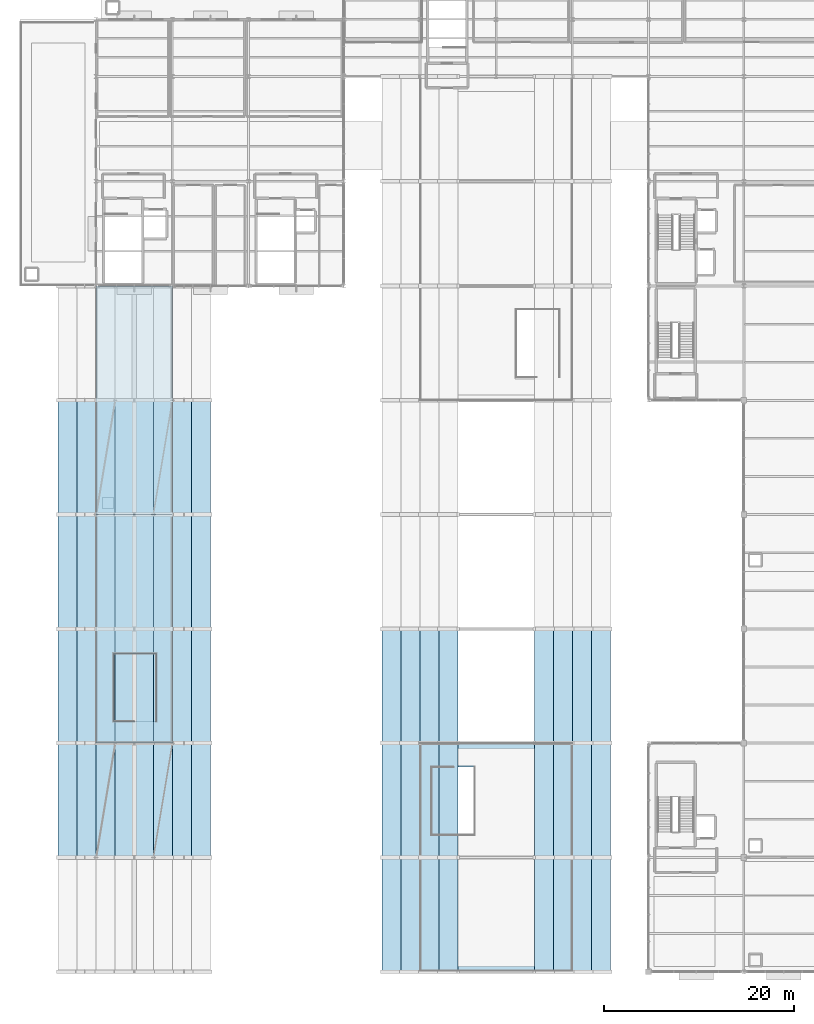
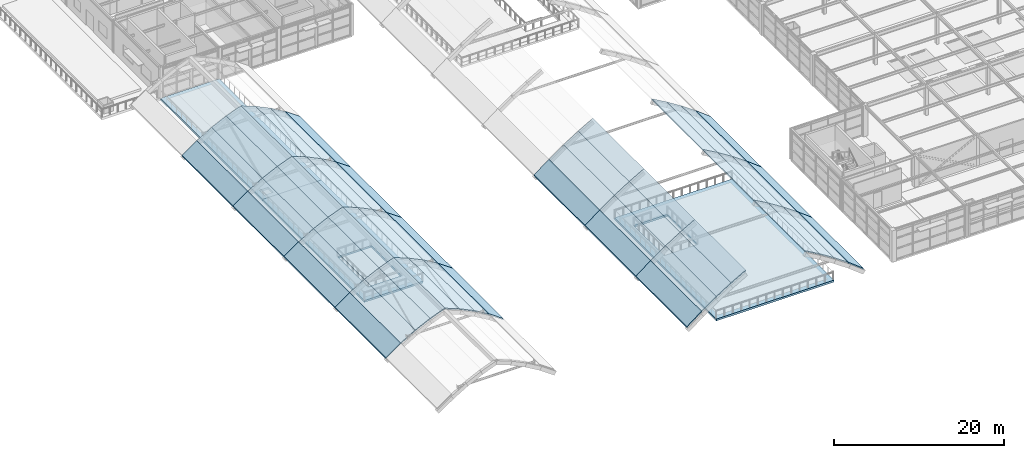
# One storey, part 44 of 82: 59 slabs.
"""IFC4 building model written with IfcOpenShell, lengths in metres."""

from ifc_helpers import new_model, si_unit, direction, frame, origin, place, context, subcontext, project, spatial, polyline, outline, extrude, material, layer, layer_set, type_object, element, save


model = new_model("IFC4")

# Units and contexts
model_context = context("Model", 3, precision=1e-05, world=origin(), true_north=direction((0.0, 1.0)))
body_context = subcontext(model_context, "Body", "Model", "MODEL_VIEW")
ifc_project = project(units=[si_unit("LENGTHUNIT", "METRE"), si_unit("AREAUNIT", "SQUARE_METRE"), si_unit("VOLUMEUNIT", "CUBIC_METRE"), si_unit("PLANEANGLEUNIT", "RADIAN"), si_unit("MASSUNIT", "GRAM", prefix="KILO")], contexts=[model_context])

# Site, building, storey
site_placement = place(None, origin())
site = spatial("IfcSite", under=ifc_project, at=site_placement, CompositionType="ELEMENT")
building_placement = place(site_placement, origin())
building = spatial("IfcBuilding", under=site, at=building_placement, Name="Sitalva Quay Ferry Terminal", CompositionType="ELEMENT")
storey_placement = place(building_placement, frame((0.0, 0.0, 5.39990234375)))
storey = spatial("IfcBuildingStorey", under=building, at=storey_placement, Name="L02", CompositionType="ELEMENT", Elevation=5.39990234375)

# Slabs
ifc_material_1 = material(Name="Concrete C35/45", Category="concrete")
ifc_layer_1 = layer(ifc_material_1, 0.280029296875)
ifc_layer_set_1 = layer_set([ifc_layer_1], Name="Concrete C35/45")
slab_type_1 = type_object("IfcSlabType", Name="Slab_Concourse_280", PredefinedType="FLOOR", material=ifc_layer_set_1)
slab_1_placement = place(storey_placement, frame((0.0, 0.0, -0.27978515625)))
element("IfcSlab", 1, at=slab_1_placement, inside=storey, type_object=slab_type_1, Name="L02 Arrivals concourse gallery north 033", PredefinedType="FLOOR", context=body_context, shape_type="SweptSolid", body=[
    extrude(outline(polyline([(16.0, 54.0), (24.0, 54.0), (24.0, 78.0), (16.0, 78.0), (16.0, 54.0)]), holes=[polyline([(16.64990234375, 54.64990234375), (16.64990234375, 55.800048828125), (17.800048828125, 55.800048828125), (17.800048828125, 54.64990234375), (16.64990234375, 54.64990234375)])]), origin(), (0.0, 0.0, 1.0), 0.27978515625),
])
slab_2_placement = place(storey_placement, frame((0.0, 0.0, -0.27978515625)))
element("IfcSlab", 2, at=slab_2_placement, inside=storey, type_object=slab_type_1, Name="L02 Departure south viewing gallery 034", PredefinedType="FLOOR", context=body_context, shape_type="SweptSolid", body=[
    extrude(outline(polyline([(50.0, 6.0), (66.0, 6.0), (66.0, 30.0), (50.0, 30.0), (50.0, 6.0)]), holes=[polyline([(51.199951171875, 20.340087890625), (51.199951171875, 27.47998046875), (55.75, 27.47998046875), (55.75, 20.340087890625), (51.199951171875, 20.340087890625)])]), origin(), (0.0, 0.0, 1.0), 0.27978515625),
])
ifc_material_2 = material(Name="Concrete C35/45", Category="concrete")
ifc_layer_2 = layer(ifc_material_2, 0.27001953125)
ifc_layer_set_2 = layer_set([ifc_layer_2], Name="Concrete C35/45")
slab_type_2 = type_object("IfcSlabType", Name="Slab_Gallery_270", PredefinedType="FLOOR", material=ifc_layer_set_2)
slab_3_placement = place(storey_placement, frame((0.0, 0.0, -0.27001953125)))
element("IfcSlab", 3, at=slab_3_placement, inside=storey, type_object=slab_type_2, Name="L02 Arrivals concourse gallery south 032", PredefinedType="FLOOR", context=body_context, shape_type="SweptSolid", body=[
    extrude(outline(polyline([(16.0, 30.0), (24.0, 30.0), (24.0, 54.0), (16.0, 54.0), (16.0, 30.0)]), holes=[polyline([(17.800048828125, 32.260009765625), (17.800048828125, 39.39990234375), (22.35009765625, 39.39990234375), (22.35009765625, 32.260009765625), (17.800048828125, 32.260009765625)])]), origin(), (0.0, 0.0, 1.0), 0.27001953125),
])
ifc_material_3 = material(Name="Concrete C40/50", Category="concrete")
ifc_layer_3 = layer(ifc_material_3, 0.159912109375)
ifc_layer_set_3 = layer_set([ifc_layer_3], Name="Concrete C40/50")
slab_type_3 = type_object("IfcSlabType", Name="Slab_PointedVaultShell_160", PredefinedType="ROOF", material=ifc_layer_set_3)
slab_4_placement = place(storey_placement, frame((46.0, 6.0, 0.304931640625), z_axis=(-0.611012871189, 0.0, 0.791620661202), x_axis=(0.791620661202, 0.0, 0.611012871189)))
element("IfcSlab", 4, at=slab_4_placement, inside=storey, type_object=slab_type_3, Name="Vault V1 pointed shell facet B1-F3", PredefinedType="ROOF", context=body_context, shape_type="SweptSolid", body=[
    extrude(outline(polyline([(0.0, 0.0), (2.526462607688514, 0.0), (2.526462607688514, 12.0), (0.0, 12.0), (0.0, 0.0)])), origin(), (-0.611012871189, 0.0, -0.791620661202), 0.2021484375),
])
slab_5_placement = place(storey_placement, frame((48.0, 6.0, 1.8486328125), z_axis=(-0.572561943241, 0.0, 0.81986146461), x_axis=(0.81986146461, 0.0, 0.572561943241)))
element("IfcSlab", 5, at=slab_5_placement, inside=storey, type_object=slab_type_3, Name="Vault V1 pointed shell facet B1-F4", PredefinedType="ROOF", context=body_context, shape_type="SweptSolid", body=[
    extrude(outline(polyline([(0.0, 0.0), (2.439436522305923, 0.0), (2.439436522305923, 12.0), (0.0, 12.0), (0.0, 0.0)])), origin(), (-0.572561943241, 0.0, -0.81986146461), 0.195068359375),
])
slab_6_placement = place(storey_placement, frame((50.0, 6.0, 3.245361328125), z_axis=(-0.534148288935, 0.0, 0.845390800416), x_axis=(0.845390800416, 0.0, 0.534148288935)))
element("IfcSlab", 6, at=slab_6_placement, inside=storey, type_object=slab_type_3, Name="Vault V1 pointed shell facet B1-F5", PredefinedType="ROOF", context=body_context, shape_type="SweptSolid", body=[
    extrude(outline(polyline([(0.0, 0.0), (2.3657697706383045, 0.0), (2.3657697706383045, 12.0), (0.0, 12.0), (0.0, 0.0)])), origin(), (-0.534148288935, 0.0, -0.845390800416), 0.189208984375),
])
slab_7_placement = place(storey_placement, frame((52.0, 6.0, 4.509033203125), z_axis=(-0.495567919109, 0.0, 0.868569189846), x_axis=(0.868569189846, 0.0, 0.495567919109)))
element("IfcSlab", 7, at=slab_7_placement, inside=storey, type_object=slab_type_3, Name="Vault V1 pointed shell facet B1-F6", PredefinedType="ROOF", context=body_context, shape_type="SweptSolid", body=[
    extrude(outline(polyline([(0.0, 0.0), (2.3026375139489805, 0.0), (2.3026375139489805, 12.0), (0.0, 12.0), (0.0, 0.0)])), origin(), (-0.495567919109, 0.0, -0.868569189846), 0.184326171875),
])
slab_8_placement = place(storey_placement, frame((62.0, 6.0, 5.650146484375), z_axis=(0.495567919109, 0.0, 0.868569189846), x_axis=(0.868569189846, 0.0, -0.495567919109)))
element("IfcSlab", 8, at=slab_8_placement, inside=storey, type_object=slab_type_3, Name="Vault V1 pointed shell facet B1-F11", PredefinedType="ROOF", context=body_context, shape_type="SweptSolid", body=[
    extrude(outline(polyline([(0.0, 0.0), (2.3026375139489805, 0.0), (2.3026375139489805, 12.0), (0.0, 12.0), (0.0, 0.0)])), origin(), (0.495567919109, 0.0, -0.868569189846), 0.184326171875),
])
slab_9_placement = place(storey_placement, frame((64.0, 6.0, 4.509033203125), z_axis=(0.534148288935, 0.0, 0.845390800416), x_axis=(0.845390800416, 0.0, -0.534148288935)))
element("IfcSlab", 9, at=slab_9_placement, inside=storey, type_object=slab_type_3, Name="Vault V1 pointed shell facet B1-F12", PredefinedType="ROOF", context=body_context, shape_type="SweptSolid", body=[
    extrude(outline(polyline([(0.0, 0.0), (2.3657697706383045, 0.0), (2.3657697706383045, 12.0), (0.0, 12.0), (0.0, 0.0)])), origin(), (0.534148288935, 0.0, -0.845390800416), 0.189208984375),
])
slab_10_placement = place(storey_placement, frame((66.0, 6.0, 3.245361328125), z_axis=(0.572561943241, 0.0, 0.81986146461), x_axis=(0.81986146461, 0.0, -0.572561943241)))
element("IfcSlab", 10, at=slab_10_placement, inside=storey, type_object=slab_type_3, Name="Vault V1 pointed shell facet B1-F13", PredefinedType="ROOF", context=body_context, shape_type="SweptSolid", body=[
    extrude(outline(polyline([(0.0, 0.0), (2.439436522305923, 0.0), (2.439436522305923, 12.0), (0.0, 12.0), (0.0, 0.0)])), origin(), (0.572561943241, 0.0, -0.81986146461), 0.195068359375),
])
slab_11_placement = place(storey_placement, frame((68.0, 6.0, 1.8486328125), z_axis=(0.611012871189, 0.0, 0.791620661202), x_axis=(0.791620661202, 0.0, -0.611012871189)))
element("IfcSlab", 11, at=slab_11_placement, inside=storey, type_object=slab_type_3, Name="Vault V1 pointed shell facet B1-F14", PredefinedType="ROOF", context=body_context, shape_type="SweptSolid", body=[
    extrude(outline(polyline([(0.0, 0.0), (2.526462607688514, 0.0), (2.526462607688514, 12.0), (0.0, 12.0), (0.0, 0.0)])), origin(), (0.611012871189, 0.0, -0.791620661202), 0.2021484375),
])
slab_12_placement = place(storey_placement, frame((46.0, 18.0, 0.304931640625), z_axis=(-0.611012871189, 0.0, 0.791620661202), x_axis=(0.791620661202, 0.0, 0.611012871189)))
element("IfcSlab", 12, at=slab_12_placement, inside=storey, type_object=slab_type_3, Name="Vault V1 pointed shell facet B2-F3", PredefinedType="ROOF", context=body_context, shape_type="SweptSolid", body=[
    extrude(outline(polyline([(0.0, 0.0), (2.526462607688514, 0.0), (2.526462607688514, 12.0), (0.0, 12.0), (0.0, 0.0)])), origin(), (-0.611012871189, 0.0, -0.791620661202), 0.2021484375),
])
slab_13_placement = place(storey_placement, frame((48.0, 18.0, 1.8486328125), z_axis=(-0.572561943241, 0.0, 0.81986146461), x_axis=(0.81986146461, 0.0, 0.572561943241)))
element("IfcSlab", 13, at=slab_13_placement, inside=storey, type_object=slab_type_3, Name="Vault V1 pointed shell facet B2-F4", PredefinedType="ROOF", context=body_context, shape_type="SweptSolid", body=[
    extrude(outline(polyline([(0.0, 0.0), (2.439436522305923, 0.0), (2.439436522305923, 12.0), (0.0, 12.0), (0.0, 0.0)])), origin(), (-0.572561943241, 0.0, -0.81986146461), 0.195068359375),
])
slab_14_placement = place(storey_placement, frame((50.0, 18.0, 3.245361328125), z_axis=(-0.534148288935, 0.0, 0.845390800416), x_axis=(0.845390800416, 0.0, 0.534148288935)))
element("IfcSlab", 14, at=slab_14_placement, inside=storey, type_object=slab_type_3, Name="Vault V1 pointed shell facet B2-F5", PredefinedType="ROOF", context=body_context, shape_type="SweptSolid", body=[
    extrude(outline(polyline([(0.0, 0.0), (2.3657697706383045, 0.0), (2.3657697706383045, 12.0), (0.0, 12.0), (0.0, 0.0)])), origin(), (-0.534148288935, 0.0, -0.845390800416), 0.189208984375),
])
slab_15_placement = place(storey_placement, frame((52.0, 18.0, 4.509033203125), z_axis=(-0.495567919109, 0.0, 0.868569189846), x_axis=(0.868569189846, 0.0, 0.495567919109)))
element("IfcSlab", 15, at=slab_15_placement, inside=storey, type_object=slab_type_3, Name="Vault V1 pointed shell facet B2-F6", PredefinedType="ROOF", context=body_context, shape_type="SweptSolid", body=[
    extrude(outline(polyline([(0.0, 0.0), (2.3026375139489805, 0.0), (2.3026375139489805, 12.0), (0.0, 12.0), (0.0, 0.0)])), origin(), (-0.495567919109, 0.0, -0.868569189846), 0.184326171875),
])
slab_16_placement = place(storey_placement, frame((62.0, 18.0, 5.650146484375), z_axis=(0.495567919109, 0.0, 0.868569189846), x_axis=(0.868569189846, 0.0, -0.495567919109)))
element("IfcSlab", 16, at=slab_16_placement, inside=storey, type_object=slab_type_3, Name="Vault V1 pointed shell facet B2-F11", PredefinedType="ROOF", context=body_context, shape_type="SweptSolid", body=[
    extrude(outline(polyline([(0.0, 0.0), (2.3026375139489805, 0.0), (2.3026375139489805, 12.0), (0.0, 12.0), (0.0, 0.0)])), origin(), (0.495567919109, 0.0, -0.868569189846), 0.184326171875),
])
slab_17_placement = place(storey_placement, frame((64.0, 18.0, 4.509033203125), z_axis=(0.534148288935, 0.0, 0.845390800416), x_axis=(0.845390800416, 0.0, -0.534148288935)))
element("IfcSlab", 17, at=slab_17_placement, inside=storey, type_object=slab_type_3, Name="Vault V1 pointed shell facet B2-F12", PredefinedType="ROOF", context=body_context, shape_type="SweptSolid", body=[
    extrude(outline(polyline([(0.0, 0.0), (2.3657697706383045, 0.0), (2.3657697706383045, 12.0), (0.0, 12.0), (0.0, 0.0)])), origin(), (0.534148288935, 0.0, -0.845390800416), 0.189208984375),
])
slab_18_placement = place(storey_placement, frame((66.0, 18.0, 3.245361328125), z_axis=(0.572561943241, 0.0, 0.81986146461), x_axis=(0.81986146461, 0.0, -0.572561943241)))
element("IfcSlab", 18, at=slab_18_placement, inside=storey, type_object=slab_type_3, Name="Vault V1 pointed shell facet B2-F13", PredefinedType="ROOF", context=body_context, shape_type="SweptSolid", body=[
    extrude(outline(polyline([(0.0, 0.0), (2.439436522305923, 0.0), (2.439436522305923, 12.0), (0.0, 12.0), (0.0, 0.0)])), origin(), (0.572561943241, 0.0, -0.81986146461), 0.195068359375),
])
slab_19_placement = place(storey_placement, frame((68.0, 18.0, 1.8486328125), z_axis=(0.611012871189, 0.0, 0.791620661202), x_axis=(0.791620661202, 0.0, -0.611012871189)))
element("IfcSlab", 19, at=slab_19_placement, inside=storey, type_object=slab_type_3, Name="Vault V1 pointed shell facet B2-F14", PredefinedType="ROOF", context=body_context, shape_type="SweptSolid", body=[
    extrude(outline(polyline([(0.0, 0.0), (2.526462607688514, 0.0), (2.526462607688514, 12.0), (0.0, 12.0), (0.0, 0.0)])), origin(), (0.611012871189, 0.0, -0.791620661202), 0.2021484375),
])
slab_20_placement = place(storey_placement, frame((46.0, 30.0, 0.304931640625), z_axis=(-0.611012871189, 0.0, 0.791620661202), x_axis=(0.791620661202, 0.0, 0.611012871189)))
element("IfcSlab", 20, at=slab_20_placement, inside=storey, type_object=slab_type_3, Name="Vault V1 pointed shell facet B3-F3", PredefinedType="ROOF", context=body_context, shape_type="SweptSolid", body=[
    extrude(outline(polyline([(0.0, 0.0), (2.526462607688514, 0.0), (2.526462607688514, 12.0), (0.0, 12.0), (0.0, 0.0)])), origin(), (-0.611012871189, 0.0, -0.791620661202), 0.2021484375),
])
slab_21_placement = place(storey_placement, frame((48.0, 30.0, 1.8486328125), z_axis=(-0.572561943241, 0.0, 0.81986146461), x_axis=(0.81986146461, 0.0, 0.572561943241)))
element("IfcSlab", 21, at=slab_21_placement, inside=storey, type_object=slab_type_3, Name="Vault V1 pointed shell facet B3-F4", PredefinedType="ROOF", context=body_context, shape_type="SweptSolid", body=[
    extrude(outline(polyline([(0.0, 0.0), (2.439436522305923, 0.0), (2.439436522305923, 12.0), (0.0, 12.0), (0.0, 0.0)])), origin(), (-0.572561943241, 0.0, -0.81986146461), 0.195068359375),
])
slab_22_placement = place(storey_placement, frame((50.0, 30.0, 3.245361328125), z_axis=(-0.534148288935, 0.0, 0.845390800416), x_axis=(0.845390800416, 0.0, 0.534148288935)))
element("IfcSlab", 22, at=slab_22_placement, inside=storey, type_object=slab_type_3, Name="Vault V1 pointed shell facet B3-F5", PredefinedType="ROOF", context=body_context, shape_type="SweptSolid", body=[
    extrude(outline(polyline([(0.0, 0.0), (2.3657697706383045, 0.0), (2.3657697706383045, 12.0), (0.0, 12.0), (0.0, 0.0)])), origin(), (-0.534148288935, 0.0, -0.845390800416), 0.189208984375),
])
slab_23_placement = place(storey_placement, frame((52.0, 30.0, 4.509033203125), z_axis=(-0.495567919109, 0.0, 0.868569189846), x_axis=(0.868569189846, 0.0, 0.495567919109)))
element("IfcSlab", 23, at=slab_23_placement, inside=storey, type_object=slab_type_3, Name="Vault V1 pointed shell facet B3-F6", PredefinedType="ROOF", context=body_context, shape_type="SweptSolid", body=[
    extrude(outline(polyline([(0.0, 0.0), (2.3026375139489805, 0.0), (2.3026375139489805, 12.0), (0.0, 12.0), (0.0, 0.0)])), origin(), (-0.495567919109, 0.0, -0.868569189846), 0.184326171875),
])
slab_24_placement = place(storey_placement, frame((62.0, 30.0, 5.650146484375), z_axis=(0.495567919109, 0.0, 0.868569189846), x_axis=(0.868569189846, 0.0, -0.495567919109)))
element("IfcSlab", 24, at=slab_24_placement, inside=storey, type_object=slab_type_3, Name="Vault V1 pointed shell facet B3-F11", PredefinedType="ROOF", context=body_context, shape_type="SweptSolid", body=[
    extrude(outline(polyline([(0.0, 0.0), (2.3026375139489805, 0.0), (2.3026375139489805, 12.0), (0.0, 12.0), (0.0, 0.0)])), origin(), (0.495567919109, 0.0, -0.868569189846), 0.184326171875),
])
slab_25_placement = place(storey_placement, frame((64.0, 30.0, 4.509033203125), z_axis=(0.534148288935, 0.0, 0.845390800416), x_axis=(0.845390800416, 0.0, -0.534148288935)))
element("IfcSlab", 25, at=slab_25_placement, inside=storey, type_object=slab_type_3, Name="Vault V1 pointed shell facet B3-F12", PredefinedType="ROOF", context=body_context, shape_type="SweptSolid", body=[
    extrude(outline(polyline([(0.0, 0.0), (2.3657697706383045, 0.0), (2.3657697706383045, 12.0), (0.0, 12.0), (0.0, 0.0)])), origin(), (0.534148288935, 0.0, -0.845390800416), 0.189208984375),
])
slab_26_placement = place(storey_placement, frame((66.0, 30.0, 3.245361328125), z_axis=(0.572561943241, 0.0, 0.81986146461), x_axis=(0.81986146461, 0.0, -0.572561943241)))
element("IfcSlab", 26, at=slab_26_placement, inside=storey, type_object=slab_type_3, Name="Vault V1 pointed shell facet B3-F13", PredefinedType="ROOF", context=body_context, shape_type="SweptSolid", body=[
    extrude(outline(polyline([(0.0, 0.0), (2.439436522305923, 0.0), (2.439436522305923, 12.0), (0.0, 12.0), (0.0, 0.0)])), origin(), (0.572561943241, 0.0, -0.81986146461), 0.195068359375),
])
slab_27_placement = place(storey_placement, frame((68.0, 30.0, 1.8486328125), z_axis=(0.611012871189, 0.0, 0.791620661202), x_axis=(0.791620661202, 0.0, -0.611012871189)))
element("IfcSlab", 27, at=slab_27_placement, inside=storey, type_object=slab_type_3, Name="Vault V1 pointed shell facet B3-F14", PredefinedType="ROOF", context=body_context, shape_type="SweptSolid", body=[
    extrude(outline(polyline([(0.0, 0.0), (2.526462607688514, 0.0), (2.526462607688514, 12.0), (0.0, 12.0), (0.0, 0.0)])), origin(), (0.611012871189, 0.0, -0.791620661202), 0.2021484375),
])
slab_28_placement = place(storey_placement, frame((12.0, 18.0, 0.47802734375), z_axis=(-0.57671060442, 0.0, 0.816948516584), x_axis=(0.816948516584, 0.0, 0.57671060442)))
element("IfcSlab", 28, at=slab_28_placement, inside=storey, type_object=slab_type_3, Name="Vault V2 pointed shell facet B2-F3", PredefinedType="ROOF", context=body_context, shape_type="SweptSolid", body=[
    extrude(outline(polyline([(0.0, 0.0), (2.448134685844873, 0.0), (2.448134685844873, 12.0), (0.0, 12.0), (0.0, 0.0)])), origin(), (-0.57671060442, 0.0, -0.816948516584), 0.19580078125),
])
slab_29_placement = place(storey_placement, frame((14.0, 18.0, 1.889892578125), z_axis=(-0.505154322463, 0.0, 0.863029032245), x_axis=(0.863029032245, 0.0, 0.505154322463)))
element("IfcSlab", 29, at=slab_29_placement, inside=storey, type_object=slab_type_3, Name="Vault V2 pointed shell facet B2-F4", PredefinedType="ROOF", context=body_context, shape_type="SweptSolid", body=[
    extrude(outline(polyline([(0.0, 0.0), (2.3174191426653703, 0.0), (2.3174191426653703, 12.0), (0.0, 12.0), (0.0, 0.0)])), origin(), (-0.505154322463, 0.0, -0.863029032245), 0.185302734375),
])
slab_30_placement = place(storey_placement, frame((16.0, 18.0, 3.060546875), z_axis=(-0.433610556325, 0.0, 0.901100374788), x_axis=(0.901100374788, 0.0, 0.433610556325)))
element("IfcSlab", 30, at=slab_30_placement, inside=storey, type_object=slab_type_3, Name="Vault V2 pointed shell facet B2-F5", PredefinedType="ROOF", context=body_context, shape_type="SweptSolid", body=[
    extrude(outline(polyline([(0.0, 0.0), (2.2195085652584208, 0.0), (2.2195085652584208, 12.0), (0.0, 12.0), (0.0, 0.0)])), origin(), (-0.433610556325, 0.0, -0.901100374788), 0.177490234375),
])
slab_31_placement = place(storey_placement, frame((18.0, 18.0, 4.02294921875), z_axis=(-0.362171701685, 0.0, 0.932111398116), x_axis=(0.932111398116, 0.0, 0.362171701685)))
element("IfcSlab", 31, at=slab_31_placement, inside=storey, type_object=slab_type_3, Name="Vault V2 pointed shell facet B2-F6", PredefinedType="ROOF", context=body_context, shape_type="SweptSolid", body=[
    extrude(outline(polyline([(0.0, 0.0), (2.1456662841389798, 0.0), (2.1456662841389798, 12.0), (0.0, 12.0), (0.0, 0.0)])), origin(), (-0.362171701685, 0.0, -0.932111398116), 0.171630859375),
])
slab_32_placement = place(storey_placement, frame((20.0, 18.0, 4.800048828125), z_axis=(0.362171701685, 0.0, 0.932111398116), x_axis=(0.932111398116, 0.0, -0.362171701685)))
element("IfcSlab", 32, at=slab_32_placement, inside=storey, type_object=slab_type_3, Name="Vault V2 pointed shell facet B2-F7", PredefinedType="ROOF", context=body_context, shape_type="SweptSolid", body=[
    extrude(outline(polyline([(0.0, 0.0), (2.1456662841389798, 0.0), (2.1456662841389798, 12.0), (0.0, 12.0), (0.0, 0.0)])), origin(), (0.362171701685, 0.0, -0.932111398116), 0.171630859375),
])
slab_33_placement = place(storey_placement, frame((22.0, 18.0, 4.02294921875), z_axis=(0.433610556325, 0.0, 0.901100374788), x_axis=(0.901100374788, 0.0, -0.433610556325)))
element("IfcSlab", 33, at=slab_33_placement, inside=storey, type_object=slab_type_3, Name="Vault V2 pointed shell facet B2-F8", PredefinedType="ROOF", context=body_context, shape_type="SweptSolid", body=[
    extrude(outline(polyline([(0.0, 0.0), (2.2195085652584208, 0.0), (2.2195085652584208, 12.0), (0.0, 12.0), (0.0, 0.0)])), origin(), (0.433610556325, 0.0, -0.901100374788), 0.177490234375),
])
slab_34_placement = place(storey_placement, frame((24.0, 18.0, 3.060546875), z_axis=(0.505154322463, 0.0, 0.863029032245), x_axis=(0.863029032245, 0.0, -0.505154322463)))
element("IfcSlab", 34, at=slab_34_placement, inside=storey, type_object=slab_type_3, Name="Vault V2 pointed shell facet B2-F9", PredefinedType="ROOF", context=body_context, shape_type="SweptSolid", body=[
    extrude(outline(polyline([(0.0, 0.0), (2.3174191426653703, 0.0), (2.3174191426653703, 12.0), (0.0, 12.0), (0.0, 0.0)])), origin(), (0.505154322463, 0.0, -0.863029032245), 0.185302734375),
])
slab_35_placement = place(storey_placement, frame((26.0, 18.0, 1.889892578125), z_axis=(0.57671060442, 0.0, 0.816948516584), x_axis=(0.816948516584, 0.0, -0.57671060442)))
element("IfcSlab", 35, at=slab_35_placement, inside=storey, type_object=slab_type_3, Name="Vault V2 pointed shell facet B2-F10", PredefinedType="ROOF", context=body_context, shape_type="SweptSolid", body=[
    extrude(outline(polyline([(0.0, 0.0), (2.448134685844873, 0.0), (2.448134685844873, 12.0), (0.0, 12.0), (0.0, 0.0)])), origin(), (0.57671060442, 0.0, -0.816948516584), 0.19580078125),
])
slab_36_placement = place(storey_placement, frame((12.0, 30.0, 0.47802734375), z_axis=(-0.57671060442, 0.0, 0.816948516584), x_axis=(0.816948516584, 0.0, 0.57671060442)))
element("IfcSlab", 36, at=slab_36_placement, inside=storey, type_object=slab_type_3, Name="Vault V2 pointed shell facet B3-F3", PredefinedType="ROOF", context=body_context, shape_type="SweptSolid", body=[
    extrude(outline(polyline([(0.0, 0.0), (2.448134685844873, 0.0), (2.448134685844873, 12.0), (0.0, 12.0), (0.0, 0.0)])), origin(), (-0.57671060442, 0.0, -0.816948516584), 0.19580078125),
])
slab_37_placement = place(storey_placement, frame((14.0, 30.0, 1.889892578125), z_axis=(-0.505154322463, 0.0, 0.863029032245), x_axis=(0.863029032245, 0.0, 0.505154322463)))
element("IfcSlab", 37, at=slab_37_placement, inside=storey, type_object=slab_type_3, Name="Vault V2 pointed shell facet B3-F4", PredefinedType="ROOF", context=body_context, shape_type="SweptSolid", body=[
    extrude(outline(polyline([(0.0, 0.0), (2.3174191426653703, 0.0), (2.3174191426653703, 12.0), (0.0, 12.0), (0.0, 0.0)])), origin(), (-0.505154322463, 0.0, -0.863029032245), 0.185302734375),
])
slab_38_placement = place(storey_placement, frame((16.0, 30.0, 3.060546875), z_axis=(-0.433610556325, 0.0, 0.901100374788), x_axis=(0.901100374788, 0.0, 0.433610556325)))
element("IfcSlab", 38, at=slab_38_placement, inside=storey, type_object=slab_type_3, Name="Vault V2 pointed shell facet B3-F5", PredefinedType="ROOF", context=body_context, shape_type="SweptSolid", body=[
    extrude(outline(polyline([(0.0, 0.0), (2.2195085652584208, 0.0), (2.2195085652584208, 12.0), (0.0, 12.0), (0.0, 0.0)])), origin(), (-0.433610556325, 0.0, -0.901100374788), 0.177490234375),
])
slab_39_placement = place(storey_placement, frame((18.0, 30.0, 4.02294921875), z_axis=(-0.362171701685, 0.0, 0.932111398116), x_axis=(0.932111398116, 0.0, 0.362171701685)))
element("IfcSlab", 39, at=slab_39_placement, inside=storey, type_object=slab_type_3, Name="Vault V2 pointed shell facet B3-F6", PredefinedType="ROOF", context=body_context, shape_type="SweptSolid", body=[
    extrude(outline(polyline([(0.0, 0.0), (2.1456662841389798, 0.0), (2.1456662841389798, 12.0), (0.0, 12.0), (0.0, 0.0)])), origin(), (-0.362171701685, 0.0, -0.932111398116), 0.171630859375),
])
slab_40_placement = place(storey_placement, frame((20.0, 30.0, 4.800048828125), z_axis=(0.362171701685, 0.0, 0.932111398116), x_axis=(0.932111398116, 0.0, -0.362171701685)))
element("IfcSlab", 40, at=slab_40_placement, inside=storey, type_object=slab_type_3, Name="Vault V2 pointed shell facet B3-F7", PredefinedType="ROOF", context=body_context, shape_type="SweptSolid", body=[
    extrude(outline(polyline([(0.0, 0.0), (2.1456662841389798, 0.0), (2.1456662841389798, 12.0), (0.0, 12.0), (0.0, 0.0)])), origin(), (0.362171701685, 0.0, -0.932111398116), 0.171630859375),
])
slab_41_placement = place(storey_placement, frame((22.0, 30.0, 4.02294921875), z_axis=(0.433610556325, 0.0, 0.901100374788), x_axis=(0.901100374788, 0.0, -0.433610556325)))
element("IfcSlab", 41, at=slab_41_placement, inside=storey, type_object=slab_type_3, Name="Vault V2 pointed shell facet B3-F8", PredefinedType="ROOF", context=body_context, shape_type="SweptSolid", body=[
    extrude(outline(polyline([(0.0, 0.0), (2.2195085652584208, 0.0), (2.2195085652584208, 12.0), (0.0, 12.0), (0.0, 0.0)])), origin(), (0.433610556325, 0.0, -0.901100374788), 0.177490234375),
])
slab_42_placement = place(storey_placement, frame((24.0, 30.0, 3.060546875), z_axis=(0.505154322463, 0.0, 0.863029032245), x_axis=(0.863029032245, 0.0, -0.505154322463)))
element("IfcSlab", 42, at=slab_42_placement, inside=storey, type_object=slab_type_3, Name="Vault V2 pointed shell facet B3-F9", PredefinedType="ROOF", context=body_context, shape_type="SweptSolid", body=[
    extrude(outline(polyline([(0.0, 0.0), (2.3174191426653703, 0.0), (2.3174191426653703, 12.0), (0.0, 12.0), (0.0, 0.0)])), origin(), (0.505154322463, 0.0, -0.863029032245), 0.185302734375),
])
slab_43_placement = place(storey_placement, frame((26.0, 30.0, 1.889892578125), z_axis=(0.57671060442, 0.0, 0.816948516584), x_axis=(0.816948516584, 0.0, -0.57671060442)))
element("IfcSlab", 43, at=slab_43_placement, inside=storey, type_object=slab_type_3, Name="Vault V2 pointed shell facet B3-F10", PredefinedType="ROOF", context=body_context, shape_type="SweptSolid", body=[
    extrude(outline(polyline([(0.0, 0.0), (2.448134685844873, 0.0), (2.448134685844873, 12.0), (0.0, 12.0), (0.0, 0.0)])), origin(), (0.57671060442, 0.0, -0.816948516584), 0.19580078125),
])
slab_44_placement = place(storey_placement, frame((12.0, 42.0, 0.47802734375), z_axis=(-0.57671060442, 0.0, 0.816948516584), x_axis=(0.816948516584, 0.0, 0.57671060442)))
element("IfcSlab", 44, at=slab_44_placement, inside=storey, type_object=slab_type_3, Name="Vault V2 pointed shell facet B4-F3", PredefinedType="ROOF", context=body_context, shape_type="SweptSolid", body=[
    extrude(outline(polyline([(0.0, 0.0), (2.448134685844873, 0.0), (2.448134685844873, 12.0), (0.0, 12.0), (0.0, 0.0)])), origin(), (-0.57671060442, 0.0, -0.816948516584), 0.19580078125),
])
slab_45_placement = place(storey_placement, frame((14.0, 42.0, 1.889892578125), z_axis=(-0.505154322463, 0.0, 0.863029032245), x_axis=(0.863029032245, 0.0, 0.505154322463)))
element("IfcSlab", 45, at=slab_45_placement, inside=storey, type_object=slab_type_3, Name="Vault V2 pointed shell facet B4-F4", PredefinedType="ROOF", context=body_context, shape_type="SweptSolid", body=[
    extrude(outline(polyline([(0.0, 0.0), (2.3174191426653703, 0.0), (2.3174191426653703, 12.0), (0.0, 12.0), (0.0, 0.0)])), origin(), (-0.505154322463, 0.0, -0.863029032245), 0.185302734375),
])
slab_46_placement = place(storey_placement, frame((16.0, 42.0, 3.060546875), z_axis=(-0.433610556325, 0.0, 0.901100374788), x_axis=(0.901100374788, 0.0, 0.433610556325)))
element("IfcSlab", 46, at=slab_46_placement, inside=storey, type_object=slab_type_3, Name="Vault V2 pointed shell facet B4-F5", PredefinedType="ROOF", context=body_context, shape_type="SweptSolid", body=[
    extrude(outline(polyline([(0.0, 0.0), (2.2195085652584208, 0.0), (2.2195085652584208, 12.0), (0.0, 12.0), (0.0, 0.0)])), origin(), (-0.433610556325, 0.0, -0.901100374788), 0.177490234375),
])
slab_47_placement = place(storey_placement, frame((18.0, 42.0, 4.02294921875), z_axis=(-0.362171701685, 0.0, 0.932111398116), x_axis=(0.932111398116, 0.0, 0.362171701685)))
element("IfcSlab", 47, at=slab_47_placement, inside=storey, type_object=slab_type_3, Name="Vault V2 pointed shell facet B4-F6", PredefinedType="ROOF", context=body_context, shape_type="SweptSolid", body=[
    extrude(outline(polyline([(0.0, 0.0), (2.1456662841389798, 0.0), (2.1456662841389798, 12.0), (0.0, 12.0), (0.0, 0.0)])), origin(), (-0.362171701685, 0.0, -0.932111398116), 0.171630859375),
])
slab_48_placement = place(storey_placement, frame((20.0, 42.0, 4.800048828125), z_axis=(0.362171701685, 0.0, 0.932111398116), x_axis=(0.932111398116, 0.0, -0.362171701685)))
element("IfcSlab", 48, at=slab_48_placement, inside=storey, type_object=slab_type_3, Name="Vault V2 pointed shell facet B4-F7", PredefinedType="ROOF", context=body_context, shape_type="SweptSolid", body=[
    extrude(outline(polyline([(0.0, 0.0), (2.1456662841389798, 0.0), (2.1456662841389798, 12.0), (0.0, 12.0), (0.0, 0.0)])), origin(), (0.362171701685, 0.0, -0.932111398116), 0.171630859375),
])
slab_49_placement = place(storey_placement, frame((22.0, 42.0, 4.02294921875), z_axis=(0.433610556325, 0.0, 0.901100374788), x_axis=(0.901100374788, 0.0, -0.433610556325)))
element("IfcSlab", 49, at=slab_49_placement, inside=storey, type_object=slab_type_3, Name="Vault V2 pointed shell facet B4-F8", PredefinedType="ROOF", context=body_context, shape_type="SweptSolid", body=[
    extrude(outline(polyline([(0.0, 0.0), (2.2195085652584208, 0.0), (2.2195085652584208, 12.0), (0.0, 12.0), (0.0, 0.0)])), origin(), (0.433610556325, 0.0, -0.901100374788), 0.177490234375),
])
slab_50_placement = place(storey_placement, frame((24.0, 42.0, 3.060546875), z_axis=(0.505154322463, 0.0, 0.863029032245), x_axis=(0.863029032245, 0.0, -0.505154322463)))
element("IfcSlab", 50, at=slab_50_placement, inside=storey, type_object=slab_type_3, Name="Vault V2 pointed shell facet B4-F9", PredefinedType="ROOF", context=body_context, shape_type="SweptSolid", body=[
    extrude(outline(polyline([(0.0, 0.0), (2.3174191426653703, 0.0), (2.3174191426653703, 12.0), (0.0, 12.0), (0.0, 0.0)])), origin(), (0.505154322463, 0.0, -0.863029032245), 0.185302734375),
])
slab_51_placement = place(storey_placement, frame((26.0, 42.0, 1.889892578125), z_axis=(0.57671060442, 0.0, 0.816948516584), x_axis=(0.816948516584, 0.0, -0.57671060442)))
element("IfcSlab", 51, at=slab_51_placement, inside=storey, type_object=slab_type_3, Name="Vault V2 pointed shell facet B4-F10", PredefinedType="ROOF", context=body_context, shape_type="SweptSolid", body=[
    extrude(outline(polyline([(0.0, 0.0), (2.448134685844873, 0.0), (2.448134685844873, 12.0), (0.0, 12.0), (0.0, 0.0)])), origin(), (0.57671060442, 0.0, -0.816948516584), 0.19580078125),
])
slab_52_placement = place(storey_placement, frame((12.0, 54.0, 0.47802734375), z_axis=(-0.57671060442, 0.0, 0.816948516584), x_axis=(0.816948516584, 0.0, 0.57671060442)))
element("IfcSlab", 52, at=slab_52_placement, inside=storey, type_object=slab_type_3, Name="Vault V2 pointed shell facet B5-F3", PredefinedType="ROOF", context=body_context, shape_type="SweptSolid", body=[
    extrude(outline(polyline([(0.0, 0.0), (2.448134685844873, 0.0), (2.448134685844873, 12.0), (0.0, 12.0), (0.0, 0.0)])), origin(), (-0.57671060442, 0.0, -0.816948516584), 0.19580078125),
])
slab_53_placement = place(storey_placement, frame((14.0, 54.0, 1.889892578125), z_axis=(-0.505154322463, 0.0, 0.863029032245), x_axis=(0.863029032245, 0.0, 0.505154322463)))
element("IfcSlab", 53, at=slab_53_placement, inside=storey, type_object=slab_type_3, Name="Vault V2 pointed shell facet B5-F4", PredefinedType="ROOF", context=body_context, shape_type="SweptSolid", body=[
    extrude(outline(polyline([(0.0, 0.0), (2.3174191426653703, 0.0), (2.3174191426653703, 12.0), (0.0, 12.0), (0.0, 0.0)])), origin(), (-0.505154322463, 0.0, -0.863029032245), 0.185302734375),
])
slab_54_placement = place(storey_placement, frame((16.0, 54.0, 3.060546875), z_axis=(-0.433610556325, 0.0, 0.901100374788), x_axis=(0.901100374788, 0.0, 0.433610556325)))
element("IfcSlab", 54, at=slab_54_placement, inside=storey, type_object=slab_type_3, Name="Vault V2 pointed shell facet B5-F5", PredefinedType="ROOF", context=body_context, shape_type="SweptSolid", body=[
    extrude(outline(polyline([(0.0, 0.0), (2.2195085652584208, 0.0), (2.2195085652584208, 12.0), (0.0, 12.0), (0.0, 0.0)])), origin(), (-0.433610556325, 0.0, -0.901100374788), 0.177490234375),
])
slab_55_placement = place(storey_placement, frame((18.0, 54.0, 4.02294921875), z_axis=(-0.362171701685, 0.0, 0.932111398116), x_axis=(0.932111398116, 0.0, 0.362171701685)))
element("IfcSlab", 55, at=slab_55_placement, inside=storey, type_object=slab_type_3, Name="Vault V2 pointed shell facet B5-F6", PredefinedType="ROOF", context=body_context, shape_type="SweptSolid", body=[
    extrude(outline(polyline([(0.0, 0.0), (2.1456662841389798, 0.0), (2.1456662841389798, 12.0), (0.0, 12.0), (0.0, 0.0)])), origin(), (-0.362171701685, 0.0, -0.932111398116), 0.171630859375),
])
slab_56_placement = place(storey_placement, frame((20.0, 54.0, 4.800048828125), z_axis=(0.362171701685, 0.0, 0.932111398116), x_axis=(0.932111398116, 0.0, -0.362171701685)))
element("IfcSlab", 56, at=slab_56_placement, inside=storey, type_object=slab_type_3, Name="Vault V2 pointed shell facet B5-F7", PredefinedType="ROOF", context=body_context, shape_type="SweptSolid", body=[
    extrude(outline(polyline([(0.0, 0.0), (2.1456662841389798, 0.0), (2.1456662841389798, 12.0), (0.0, 12.0), (0.0, 0.0)])), origin(), (0.362171701685, 0.0, -0.932111398116), 0.171630859375),
])
slab_57_placement = place(storey_placement, frame((22.0, 54.0, 4.02294921875), z_axis=(0.433610556325, 0.0, 0.901100374788), x_axis=(0.901100374788, 0.0, -0.433610556325)))
element("IfcSlab", 57, at=slab_57_placement, inside=storey, type_object=slab_type_3, Name="Vault V2 pointed shell facet B5-F8", PredefinedType="ROOF", context=body_context, shape_type="SweptSolid", body=[
    extrude(outline(polyline([(0.0, 0.0), (2.2195085652584208, 0.0), (2.2195085652584208, 12.0), (0.0, 12.0), (0.0, 0.0)])), origin(), (0.433610556325, 0.0, -0.901100374788), 0.177490234375),
])
slab_58_placement = place(storey_placement, frame((24.0, 54.0, 3.060546875), z_axis=(0.505154322463, 0.0, 0.863029032245), x_axis=(0.863029032245, 0.0, -0.505154322463)))
element("IfcSlab", 58, at=slab_58_placement, inside=storey, type_object=slab_type_3, Name="Vault V2 pointed shell facet B5-F9", PredefinedType="ROOF", context=body_context, shape_type="SweptSolid", body=[
    extrude(outline(polyline([(0.0, 0.0), (2.3174191426653703, 0.0), (2.3174191426653703, 12.0), (0.0, 12.0), (0.0, 0.0)])), origin(), (0.505154322463, 0.0, -0.863029032245), 0.185302734375),
])
slab_59_placement = place(storey_placement, frame((26.0, 54.0, 1.889892578125), z_axis=(0.57671060442, 0.0, 0.816948516584), x_axis=(0.816948516584, 0.0, -0.57671060442)))
element("IfcSlab", 59, at=slab_59_placement, inside=storey, type_object=slab_type_3, Name="Vault V2 pointed shell facet B5-F10", PredefinedType="ROOF", context=body_context, shape_type="SweptSolid", body=[
    extrude(outline(polyline([(0.0, 0.0), (2.448134685844873, 0.0), (2.448134685844873, 12.0), (0.0, 12.0), (0.0, 0.0)])), origin(), (0.57671060442, 0.0, -0.816948516584), 0.19580078125),
])

save(model, "model.ifc")
